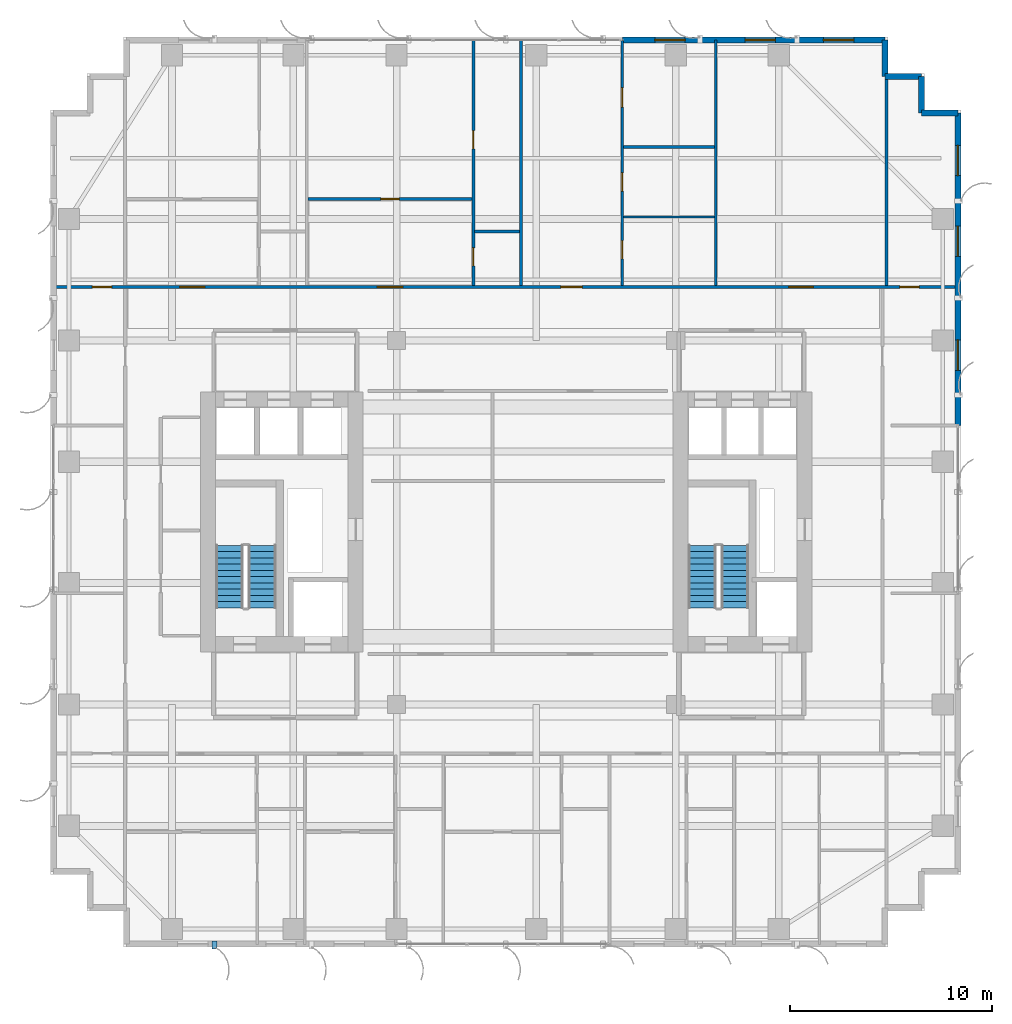
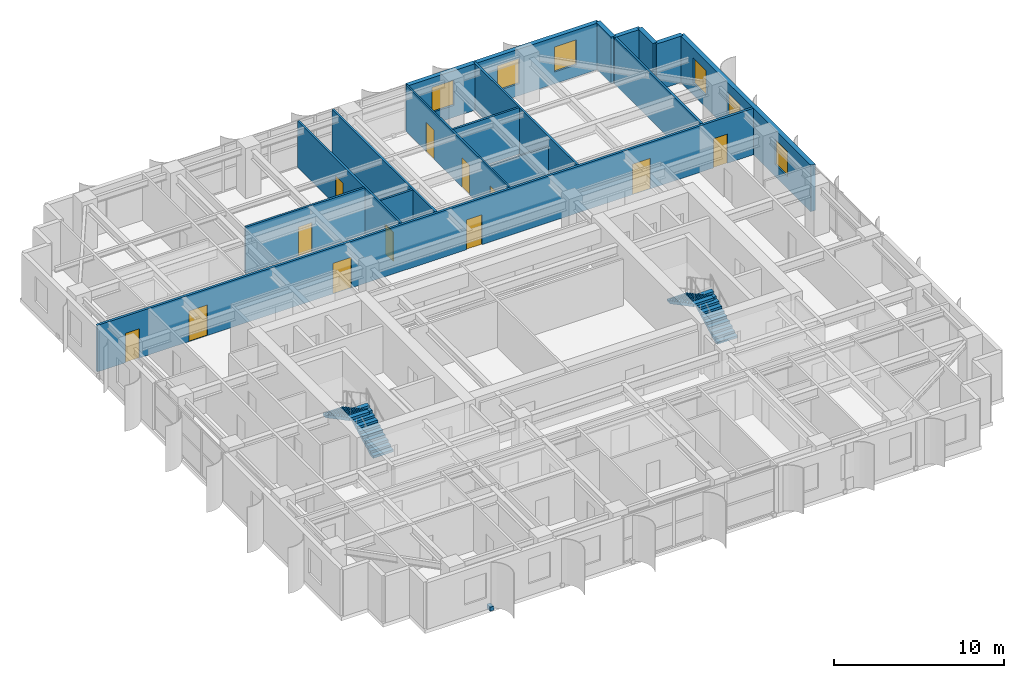
# One storey, part 17 of 22: 16 walls, 12 doors, 6 windows, 4 stair flights, 1 discrete accessory, 18 openings, 2 elements without a shape of their own.
"""IFC4 building model written with IfcOpenShell, lengths in metres."""

from ifc_helpers import new_model, si_unit, direction, frame, frame_2d, origin, origin_2d, place, context, subcontext, project, spatial, polyline, rectangle, outline, extrude, source, transform, mapped, material, layer, layer_set, type_object, element, fill, aggregate, save


model = new_model("IFC4")

# Units and contexts
model_context = context("Model", 3, precision=1e-05, world=origin(), true_north=direction((0.0, 1.0)))
body_context = subcontext(model_context, "Body", "Model", "MODEL_VIEW")
ifc_project = project(units=[si_unit("LENGTHUNIT", "METRE"), si_unit("AREAUNIT", "SQUARE_METRE"), si_unit("VOLUMEUNIT", "CUBIC_METRE"), si_unit("PLANEANGLEUNIT", "RADIAN"), si_unit("MASSUNIT", "GRAM", prefix="KILO")], contexts=[model_context])

# Site, building, storey
site_placement = place(None, origin())
site = spatial("IfcSite", under=ifc_project, at=site_placement, CompositionType="ELEMENT")
building_placement = place(site_placement, origin())
building = spatial("IfcBuilding", under=site, at=building_placement, Name="Khoralis Quay Care Tower", CompositionType="ELEMENT")
storey_placement = place(building_placement, frame((0.0, 0.0, 94.5)))
storey = spatial("IfcBuildingStorey", under=building, at=storey_placement, Name="L24", CompositionType="ELEMENT", Elevation=94.5)

# Wall, openings, doors
ifc_material_1 = material(Name="Gypsum plasterboard on acoustic metal stud")
ifc_layer_1 = layer(ifc_material_1, 0.1650390625)
ifc_layer_set_1 = layer_set([ifc_layer_1], Name="Gypsum plasterboard on acoustic metal stud")
wall_type_1 = type_object("IfcWallType", Name="WL-CORR-165", PredefinedType="PARTITIONING", material=ifc_layer_set_1)
wall_1_placement = place(storey_placement, frame((0.14501953125, 32.639892578125, 0.0), z_axis=(0.0, 0.0, 1.0), x_axis=(1.0, 0.0, 0.0)))
wall_1 = element("IfcWall", 1, at=wall_1_placement, inside=storey, type_object=wall_type_1, Name="L24 North Main Corridor Wall", PredefinedType="PARTITIONING", context=body_context, shape_type="SweptSolid", body=[
    extrude(rectangle(XDim=44.7099609375, YDim=0.1650390625, at=frame_2d((22.35498046875, 0.0))), origin(), (0.0, 0.0, 1.0), 3.340087890625),
])
opening_1_placement = place(wall_1_placement, frame((6.22509765625, 0.0, 0.0)))
opening_1 = element("IfcOpeningElement", 2, at=opening_1_placement, cuts=wall_1, Name="Opening CD1", PredefinedType="OPENING", context=body_context, shape_type="SweptSolid", body=[
    extrude(rectangle(XDim=1.25, YDim=2.199951171875, at=frame_2d((0.625, 1.10009765625))), frame((0.0, 0.092529296875, 0.0), z_axis=(0.0, -1.0, 0.0), x_axis=(1.0, 0.0, 0.0)), (0.0, 0.0, 1.0), 0.18505859375),
])
opening_2_placement = place(wall_1_placement, frame((16.010009765625, 0.0, 0.0)))
opening_2 = element("IfcOpeningElement", 3, at=opening_2_placement, cuts=wall_1, Name="Opening CD1", PredefinedType="OPENING", context=body_context, shape_type="SweptSolid", body=[
    extrude(rectangle(XDim=1.25, YDim=2.199951171875, at=frame_2d((0.625, 1.10009765625))), frame((0.0, 0.092529296875, 0.0), z_axis=(0.0, -1.0, 0.0), x_axis=(1.0, 0.0, 0.0)), (0.0, 0.0, 1.0), 0.18505859375),
])
opening_3_placement = place(wall_1_placement, frame((25.083984375, 0.0, 0.0)))
opening_3 = element("IfcOpeningElement", 4, at=opening_3_placement, cuts=wall_1, Name="Opening UD1", PredefinedType="OPENING", context=body_context, shape_type="SweptSolid", body=[
    extrude(rectangle(XDim=1.050048828125, YDim=2.14990234375, at=frame_2d((0.52490234375, 1.074951171875))), frame((0.0, 0.092529296875, 0.0), z_axis=(0.0, -1.0, 0.0), x_axis=(1.0, 0.0, 0.0)), (0.0, 0.0, 1.0), 0.18505859375),
])
opening_4_placement = place(wall_1_placement, frame((36.35498046875, 0.0, 0.0)))
opening_4 = element("IfcOpeningElement", 5, at=opening_4_placement, cuts=wall_1, Name="Opening FD1", PredefinedType="OPENING", context=body_context, shape_type="SweptSolid", body=[
    extrude(rectangle(XDim=1.199951171875, YDim=2.199951171875, at=frame_2d((0.60009765625, 1.10009765625))), frame((0.0, 0.092529296875, 0.0), z_axis=(0.0, -1.0, 0.0), x_axis=(1.0, 0.0, 0.0)), (0.0, 0.0, 1.0), 0.18505859375),
])
opening_5_placement = place(wall_1_placement, frame((1.919921875, 0.0, 0.0)))
opening_5 = element("IfcOpeningElement", 6, at=opening_5_placement, cuts=wall_1, Name="Opening ID1", PredefinedType="OPENING", context=body_context, shape_type="SweptSolid", body=[
    extrude(rectangle(XDim=0.949951171875, YDim=2.10009765625, at=frame_2d((0.47509765625, 1.050048828125))), frame((0.0, 0.092529296875, 0.0), z_axis=(0.0, -1.0, 0.0), x_axis=(1.0, 0.0, 0.0)), (0.0, 0.0, 1.0), 0.18505859375),
])
opening_6_placement = place(wall_1_placement, frame((41.840087890625, 0.0, 0.0)))
opening_6 = element("IfcOpeningElement", 7, at=opening_6_placement, cuts=wall_1, Name="Opening ID1", PredefinedType="OPENING", context=body_context, shape_type="SweptSolid", body=[
    extrude(rectangle(XDim=0.949951171875, YDim=2.10009765625, at=frame_2d((0.47509765625, 1.050048828125))), frame((0.0, 0.092529296875, 0.0), z_axis=(0.0, -1.0, 0.0), x_axis=(1.0, 0.0, 0.0)), (0.0, 0.0, 1.0), 0.18505859375),
])
ifc_material_2 = material(Name="Fire-rated painted steel", Category="steel")
door_type_1 = type_object("IfcDoorType", Name="DR-FFL-1200X2200", OperationType="NOTDEFINED", PredefinedType="DOOR", material=ifc_material_2)
shared_shape_1 = source(origin(), body_context, "Body", "SweptSolid", [
    extrude(rectangle(XDim=1.199951171875, YDim=2.199951171875, at=frame_2d((0.60009765625, 1.10009765625))), frame((0.0, 0.02490234375, 0.0), z_axis=(0.0, -1.0, 0.0), x_axis=(1.0, 0.0, 0.0)), (0.0, 0.0, 1.0), 0.050048828125),
])
door_1_placement = place(opening_4_placement, origin())
door_1 = element("IfcDoor", 8, at=door_1_placement, inside=storey, type_object=door_type_1, Name="L24 Assisted Communal Dining Room Door", OperationType="DOUBLE_DOOR_SINGLE_SWING", OverallHeight=2.199951171875, OverallWidth=1.199951171875, PredefinedType="DOOR", context=body_context, shape_type="MappedRepresentation", body=[
    mapped(shared_shape_1, transform((0.0, 0.0, 0.0), scale=1.0)),
])
fill(opening_4, door_1)
ifc_material_3 = material(Name="Acoustic hardwood timber", Category="wood")
door_type_2 = type_object("IfcDoorType", Name="DR-CARE-1250X2200", OperationType="NOTDEFINED", PredefinedType="DOOR", material=ifc_material_3)
shared_shape_2 = source(origin(), body_context, "Body", "SweptSolid", [
    extrude(rectangle(XDim=1.25, YDim=2.199951171875, at=frame_2d((0.625, 1.10009765625))), frame((0.0, 0.02490234375, 0.0), z_axis=(0.0, -1.0, 0.0), x_axis=(1.0, 0.0, 0.0)), (0.0, 0.0, 1.0), 0.050048828125),
])
door_2_placement = place(opening_1_placement, origin())
door_2 = element("IfcDoor", 9, at=door_2_placement, inside=storey, type_object=door_type_2, Name="L24 Care Suite NB0 Clinical Door", OperationType="SINGLE_SWING_RIGHT", OverallHeight=2.199951171875, OverallWidth=1.25, PredefinedType="DOOR", context=body_context, shape_type="MappedRepresentation", body=[
    mapped(shared_shape_2, transform((0.0, 0.0, 0.0), scale=1.0)),
])
fill(opening_1, door_2)
door_3_placement = place(opening_2_placement, origin())
door_3 = element("IfcDoor", 10, at=door_3_placement, inside=storey, type_object=door_type_2, Name="L24 Care Suite NB1 Clinical Door", OperationType="SINGLE_SWING_LEFT", OverallHeight=2.199951171875, OverallWidth=1.25, PredefinedType="DOOR", context=body_context, shape_type="MappedRepresentation", body=[
    mapped(shared_shape_2, transform((0.0, 0.0, 0.0), scale=1.0)),
])
fill(opening_2, door_3)
door_type_3 = type_object("IfcDoorType", Name="DR-ROOM-950X2100", OperationType="NOTDEFINED", PredefinedType="DOOR", material=ifc_material_3)
shared_shape_3 = source(origin(), body_context, "Body", "SweptSolid", [
    extrude(rectangle(XDim=0.949951171875, YDim=2.10009765625, at=frame_2d((0.47509765625, 1.050048828125))), frame((0.0, 0.02490234375, 0.0), z_axis=(0.0, -1.0, 0.0), x_axis=(1.0, 0.0, 0.0)), (0.0, 0.0, 1.0), 0.050048828125),
])
door_4_placement = place(opening_5_placement, origin())
door_4 = element("IfcDoor", 11, at=door_4_placement, inside=storey, type_object=door_type_3, Name="L24 NW Corner Door", OperationType="SINGLE_SWING_RIGHT", OverallHeight=2.10009765625, OverallWidth=0.949951171875, PredefinedType="DOOR", context=body_context, shape_type="MappedRepresentation", body=[
    mapped(shared_shape_3, transform((0.0, 0.0, 0.0), scale=1.0)),
])
fill(opening_5, door_4)
door_5_placement = place(opening_6_placement, origin())
door_5 = element("IfcDoor", 12, at=door_5_placement, inside=storey, type_object=door_type_3, Name="L24 NE Corner Door", OperationType="SINGLE_SWING_LEFT", OverallHeight=2.10009765625, OverallWidth=0.949951171875, PredefinedType="DOOR", context=body_context, shape_type="MappedRepresentation", body=[
    mapped(shared_shape_3, transform((0.0, 0.0, 0.0), scale=1.0)),
])
fill(opening_6, door_5)
door_type_4 = type_object("IfcDoorType", Name="DR-SUITE-1050X2150", OperationType="NOTDEFINED", PredefinedType="DOOR", material=ifc_material_3)
shared_shape_4 = source(origin(), body_context, "Body", "SweptSolid", [
    extrude(rectangle(XDim=1.050048828125, YDim=2.14990234375, at=frame_2d((0.52490234375, 1.074951171875))), frame((0.0, 0.02490234375, 0.0), z_axis=(0.0, -1.0, 0.0), x_axis=(1.0, 0.0, 0.0)), (0.0, 0.0, 1.0), 0.050048828125),
])
door_6_placement = place(opening_3_placement, origin())
door_6 = element("IfcDoor", 13, at=door_6_placement, inside=storey, type_object=door_type_4, Name="L24 Apartment NB2 Entrance Door", OperationType="SINGLE_SWING_RIGHT", OverallHeight=2.14990234375, OverallWidth=1.050048828125, PredefinedType="DOOR", context=body_context, shape_type="MappedRepresentation", body=[
    mapped(shared_shape_4, transform((0.0, 0.0, 0.0), scale=1.0)),
])
fill(opening_3, door_6)

# Wall, openings, windows
ifc_material_4 = material(Name="Precast concrete C45/55", Category="concrete")
ifc_layer_2 = layer(ifc_material_4, 0.300048828125)
ifc_layer_set_2 = layer_set([ifc_layer_2], Name="Precast concrete C45/55")
wall_type_2 = type_object("IfcWallType", Name="WL-EXT-REF-300", PredefinedType="SOLIDWALL", material=ifc_layer_set_2)
wall_2_placement = place(storey_placement, frame((44.85009765625, 25.800048828125, 0.0), z_axis=(0.0, 0.0, 1.0), x_axis=(0.0, 1.0, 0.0)))
wall_2 = element("IfcWall", 14, at=wall_2_placement, inside=storey, type_object=wall_type_2, Name="L24 External Facade Wall WL-EXT-L24-P1-E5B", PredefinedType="SOLIDWALL", context=body_context, shape_type="SweptSolid", body=[
    extrude(rectangle(XDim=15.449951171875, YDim=0.300048828125, at=frame_2d((7.72509765625, 0.0))), origin(), (0.0, 0.0, 1.0), 3.340087890625),
])
opening_7_placement = place(wall_2_placement, frame((2.719970703125, 0.0, 0.85009765625)))
opening_7 = element("IfcOpeningElement", 15, at=opening_7_placement, cuts=wall_2, Name="Opening W3", PredefinedType="OPENING", context=body_context, shape_type="SweptSolid", body=[
    extrude(rectangle(XDim=1.5, YDim=1.800048828125, at=frame_2d((0.75, 0.89990234375))), frame((0.0, 0.16015625, 0.0), z_axis=(0.0, -1.0, 0.0), x_axis=(1.0, 0.0, 0.0)), (0.0, 0.0, 1.0), 0.320068359375),
])
opening_8_placement = place(wall_2_placement, frame((8.347412109375, 0.0, 0.85009765625)))
opening_8 = element("IfcOpeningElement", 16, at=opening_8_placement, cuts=wall_2, Name="Opening W3", PredefinedType="OPENING", context=body_context, shape_type="SweptSolid", body=[
    extrude(rectangle(XDim=1.5, YDim=1.800048828125, at=frame_2d((0.75, 0.89990234375))), frame((0.0, 0.16015625, 0.0), z_axis=(0.0, -1.0, 0.0), x_axis=(1.0, 0.0, 0.0)), (0.0, 0.0, 1.0), 0.320068359375),
])
opening_9_placement = place(wall_2_placement, frame((12.342529296875, 0.0, 0.85009765625)))
opening_9 = element("IfcOpeningElement", 17, at=opening_9_placement, cuts=wall_2, Name="Opening W3", PredefinedType="OPENING", context=body_context, shape_type="SweptSolid", body=[
    extrude(rectangle(XDim=1.5, YDim=1.800048828125, at=frame_2d((0.75, 0.89990234375))), frame((0.0, 0.16015625, 0.0), z_axis=(0.0, -1.0, 0.0), x_axis=(1.0, 0.0, 0.0)), (0.0, 0.0, 1.0), 0.320068359375),
])
ifc_material_5 = material(Name="Low-E solar-control double glazing", Category="glass")
window_type = type_object("IfcWindowType", Name="WN-CLIN-1500X1800", PartitioningType="SINGLE_PANEL", PredefinedType="WINDOW", material=ifc_material_5)
shared_shape_5 = source(origin(), body_context, "Body", "SweptSolid", [
    extrude(rectangle(XDim=1.5, YDim=1.800048828125, at=frame_2d((0.75, 0.89990234375))), frame((0.0, 0.030029296875, 0.0), z_axis=(0.0, -1.0, 0.0), x_axis=(1.0, 0.0, 0.0)), (0.0, 0.0, 1.0), 0.06005859375),
])
window_1_placement = place(opening_7_placement, origin())
window_1 = element("IfcWindow", 18, at=window_1_placement, inside=storey, type_object=window_type, Name="WN-L24-P1-E5B Facade Window 01", OverallHeight=1.800048828125, OverallWidth=1.5, PartitioningType="SINGLE_PANEL", PredefinedType="WINDOW", context=body_context, shape_type="MappedRepresentation", body=[
    mapped(shared_shape_5, transform((0.0, 0.0, 0.0), scale=1.0)),
])
fill(opening_7, window_1)
window_2_placement = place(opening_8_placement, origin())
window_2 = element("IfcWindow", 19, at=window_2_placement, inside=storey, type_object=window_type, Name="WN-L24-P1-E5B Facade Window 02", OverallHeight=1.800048828125, OverallWidth=1.5, PartitioningType="SINGLE_PANEL", PredefinedType="WINDOW", context=body_context, shape_type="MappedRepresentation", body=[
    mapped(shared_shape_5, transform((0.0, 0.0, 0.0), scale=1.0)),
])
fill(opening_8, window_2)
window_3_placement = place(opening_9_placement, origin())
window_3 = element("IfcWindow", 20, at=window_3_placement, inside=storey, type_object=window_type, Name="WN-L24-P1-E5B Facade Window 03", OverallHeight=1.800048828125, OverallWidth=1.5, PartitioningType="SINGLE_PANEL", PredefinedType="WINDOW", context=body_context, shape_type="MappedRepresentation", body=[
    mapped(shared_shape_5, transform((0.0, 0.0, 0.0), scale=1.0)),
])
fill(opening_9, window_3)

# Walls
for number, where, z_axis, x_axis, name in (
    (21, (44.85009765625, 41.25, 0.0), (0.0, 0.0, 1.0), (-1.0, 0.0, 0.0), "L24 External Facade Wall WL-EXT-L24-P1-C6"),
    (22, (43.050048828125, 41.25, 0.0), (0.0, 0.0, 1.0), (0.0, 1.0, 0.0), "L24 External Facade Wall WL-EXT-L24-P1-C7"),
    (23, (43.050048828125, 43.050048828125, 0.0), (0.0, 0.0, 1.0), (-1.0, 0.0, 0.0), "L24 External Facade Wall WL-EXT-L24-P1-C8"),
    (24, (41.25, 43.050048828125, 0.0), (0.0, 0.0, 1.0), (0.0, 1.0, 0.0), "L24 External Facade Wall WL-EXT-L24-P1-C9"),
):
    element("IfcWall", number, at=place(storey_placement, frame(where, z_axis=z_axis, x_axis=x_axis)), inside=storey, type_object=wall_type_2, Name=name, PredefinedType="SOLIDWALL", context=body_context, shape_type="SweptSolid", body=[
        extrude(rectangle(XDim=1.800048828125, YDim=0.300048828125, at=frame_2d((0.89990234375, 0.0))), origin(), (0.0, 0.0, 1.0), 3.340087890625),
    ])

# Wall, openings, windows
wall_3_placement = place(storey_placement, frame((41.25, 44.85009765625, 0.0), z_axis=(0.0, 0.0, 1.0), x_axis=(-1.0, 0.0, 0.0)))
wall_3 = element("IfcWall", 25, at=wall_3_placement, inside=storey, type_object=wall_type_2, Name="L24 External Facade Wall WL-EXT-L24-P1-E10A", PredefinedType="SOLIDWALL", context=body_context, shape_type="SweptSolid", body=[
    extrude(rectangle(XDim=12.991943359375, YDim=0.300048828125, at=frame_2d((6.49609375, 0.0))), origin(), (0.0, 0.0, 1.0), 3.340087890625),
])
opening_10_placement = place(wall_3_placement, frame((1.547607421875, 0.0, 0.85009765625)))
opening_10 = element("IfcOpeningElement", 26, at=opening_10_placement, cuts=wall_3, Name="Opening W3", PredefinedType="OPENING", context=body_context, shape_type="SweptSolid", body=[
    extrude(rectangle(XDim=1.5, YDim=1.800048828125, at=frame_2d((0.75, 0.89990234375))), frame((0.0, 0.16015625, 0.0), z_axis=(0.0, -1.0, 0.0), x_axis=(1.0, 0.0, 0.0)), (0.0, 0.0, 1.0), 0.320068359375),
])
opening_11_placement = place(wall_3_placement, frame((5.422607421875, 0.0, 0.85009765625)))
opening_11 = element("IfcOpeningElement", 27, at=opening_11_placement, cuts=wall_3, Name="Opening W3", PredefinedType="OPENING", context=body_context, shape_type="SweptSolid", body=[
    extrude(rectangle(XDim=1.5, YDim=1.800048828125, at=frame_2d((0.75, 0.89990234375))), frame((0.0, 0.16015625, 0.0), z_axis=(0.0, -1.0, 0.0), x_axis=(1.0, 0.0, 0.0)), (0.0, 0.0, 1.0), 0.320068359375),
])
opening_12_placement = place(wall_3_placement, frame((9.881103515625, 0.0, 0.85009765625)))
opening_12 = element("IfcOpeningElement", 28, at=opening_12_placement, cuts=wall_3, Name="Opening W3", PredefinedType="OPENING", context=body_context, shape_type="SweptSolid", body=[
    extrude(rectangle(XDim=1.5, YDim=1.800048828125, at=frame_2d((0.75, 0.89990234375))), frame((0.0, 0.16015625, 0.0), z_axis=(0.0, -1.0, 0.0), x_axis=(1.0, 0.0, 0.0)), (0.0, 0.0, 1.0), 0.320068359375),
])
window_4_placement = place(opening_10_placement, origin())
window_4 = element("IfcWindow", 29, at=window_4_placement, inside=storey, type_object=window_type, Name="WN-L24-P1-E10A Facade Window 01", OverallHeight=1.800048828125, OverallWidth=1.5, PartitioningType="SINGLE_PANEL", PredefinedType="WINDOW", context=body_context, shape_type="MappedRepresentation", body=[
    mapped(shared_shape_5, transform((0.0, 0.0, 0.0), scale=1.0)),
])
fill(opening_10, window_4)
window_5_placement = place(opening_11_placement, origin())
window_5 = element("IfcWindow", 30, at=window_5_placement, inside=storey, type_object=window_type, Name="WN-L24-P1-E10A Facade Window 02", OverallHeight=1.800048828125, OverallWidth=1.5, PartitioningType="SINGLE_PANEL", PredefinedType="WINDOW", context=body_context, shape_type="MappedRepresentation", body=[
    mapped(shared_shape_5, transform((0.0, 0.0, 0.0), scale=1.0)),
])
fill(opening_11, window_5)
window_6_placement = place(opening_12_placement, origin())
window_6 = element("IfcWindow", 31, at=window_6_placement, inside=storey, type_object=window_type, Name="WN-L24-P1-E10A Facade Window 03", OverallHeight=1.800048828125, OverallWidth=1.5, PartitioningType="SINGLE_PANEL", PredefinedType="WINDOW", context=body_context, shape_type="MappedRepresentation", body=[
    mapped(shared_shape_5, transform((0.0, 0.0, 0.0), scale=1.0)),
])
fill(opening_12, window_6)

# Wall, openings, doors
ifc_layer_3 = layer(ifc_material_1, 0.114990234375)
ifc_layer_set_3 = layer_set([ifc_layer_3], Name="Gypsum plasterboard on acoustic metal stud")
wall_type_3 = type_object("IfcWallType", Name="WL-PART-115", PredefinedType="PARTITIONING", material=ifc_layer_set_3)
wall_4_placement = place(storey_placement, frame((28.258056640625, 32.717529296875, 0.0), z_axis=(0.0, 0.0, 1.0), x_axis=(0.0, 1.0, 0.0)))
wall_4 = element("IfcWall", 32, at=wall_4_placement, inside=storey, type_object=wall_type_3, Name="L24 Unit 2 Internal Wall", PredefinedType="PARTITIONING", context=body_context, shape_type="SweptSolid", body=[
    extrude(rectangle(XDim=12.137451171875, YDim=0.114990234375, at=frame_2d((6.06884765625, 0.0))), origin(), (0.0, 0.0, 1.0), 3.340087890625),
])
opening_13_placement = place(wall_4_placement, frame((8.8134765625, 0.0, 0.0)))
opening_13 = element("IfcOpeningElement", 33, at=opening_13_placement, cuts=wall_4, Name="Opening ID1", PredefinedType="OPENING", context=body_context, shape_type="SweptSolid", body=[
    extrude(rectangle(XDim=0.949951171875, YDim=2.10009765625, at=frame_2d((0.47509765625, 1.050048828125))), frame((0.0, 0.0673828125, 0.0), z_axis=(0.0, -1.0, 0.0), x_axis=(1.0, 0.0, 0.0)), (0.0, 0.0, 1.0), 0.135009765625),
])
opening_14_placement = place(wall_4_placement, frame((4.6640625, 0.0, 0.0)))
opening_14 = element("IfcOpeningElement", 34, at=opening_14_placement, cuts=wall_4, Name="Opening WD1", PredefinedType="OPENING", context=body_context, shape_type="SweptSolid", body=[
    extrude(rectangle(XDim=0.89990234375, YDim=2.10009765625, at=frame_2d((0.449951171875, 1.050048828125))), frame((0.0, 0.0673828125, 0.0), z_axis=(0.0, -1.0, 0.0), x_axis=(1.0, 0.0, 0.0)), (0.0, 0.0, 1.0), 0.135009765625),
])
opening_15_placement = place(wall_4_placement, frame((1.318115234375, 0.0, 0.0)))
opening_15 = element("IfcOpeningElement", 35, at=opening_15_placement, cuts=wall_4, Name="Opening WD1", PredefinedType="OPENING", context=body_context, shape_type="SweptSolid", body=[
    extrude(rectangle(XDim=0.89990234375, YDim=2.10009765625, at=frame_2d((0.449951171875, 1.050048828125))), frame((0.0, 0.0673828125, 0.0), z_axis=(0.0, -1.0, 0.0), x_axis=(1.0, 0.0, 0.0)), (0.0, 0.0, 1.0), 0.135009765625),
])
door_type_5 = type_object("IfcDoorType", Name="DR-BATH-900X2100", OperationType="NOTDEFINED", PredefinedType="DOOR", material=ifc_material_3)
shared_shape_6 = source(origin(), body_context, "Body", "SweptSolid", [
    extrude(rectangle(XDim=0.89990234375, YDim=2.10009765625, at=frame_2d((0.449951171875, 1.050048828125))), frame((0.0, 0.02490234375, 0.0), z_axis=(0.0, -1.0, 0.0), x_axis=(1.0, 0.0, 0.0)), (0.0, 0.0, 1.0), 0.050048828125),
])
door_7_placement = place(opening_14_placement, frame((0.89990234375, 0.0, 0.0), z_axis=(0.0, 0.0, 1.0), x_axis=(-1.0, 0.0, 0.0)))
door_7 = element("IfcDoor", 36, at=door_7_placement, inside=storey, type_object=door_type_5, Name="L24 Apartment NB2 KIT Door", OperationType="SINGLE_SWING_RIGHT", OverallHeight=2.10009765625, OverallWidth=0.89990234375, PredefinedType="DOOR", context=body_context, shape_type="MappedRepresentation", body=[
    mapped(shared_shape_6, transform((0.0, 0.0, 0.0), scale=1.0)),
])
fill(opening_14, door_7)
door_8_placement = place(opening_15_placement, frame((0.89990234375, 0.0, 0.0), z_axis=(0.0, 0.0, 1.0), x_axis=(-1.0, 0.0, 0.0)))
door_8 = element("IfcDoor", 37, at=door_8_placement, inside=storey, type_object=door_type_5, Name="L24 Apartment NB2 BTH Door", OperationType="SINGLE_SWING_LEFT", OverallHeight=2.10009765625, OverallWidth=0.89990234375, PredefinedType="DOOR", context=body_context, shape_type="MappedRepresentation", body=[
    mapped(shared_shape_6, transform((0.0, 0.0, 0.0), scale=1.0)),
])
fill(opening_15, door_8)
door_9_placement = place(opening_13_placement, frame((0.949951171875, 0.0, 0.0), z_axis=(0.0, 0.0, 1.0), x_axis=(-1.0, 0.0, 0.0)))
door_9 = element("IfcDoor", 38, at=door_9_placement, inside=storey, type_object=door_type_3, Name="L24 Apartment NB2 BED Door", OperationType="SINGLE_SWING_LEFT", OverallHeight=2.10009765625, OverallWidth=0.949951171875, PredefinedType="DOOR", context=body_context, shape_type="MappedRepresentation", body=[
    mapped(shared_shape_3, transform((0.0, 0.0, 0.0), scale=1.0)),
])
fill(opening_13, door_9)

# Wall
wall_5_placement = place(storey_placement, frame((28.310546875, 36.10107421875, 0.0), z_axis=(0.0, 0.0, 1.0), x_axis=(1.0, 0.0, 0.0)))
element("IfcWall", 39, at=wall_5_placement, inside=storey, type_object=wall_type_3, Name="L24 Unit 2 Kitchen Wall", PredefinedType="PARTITIONING", context=body_context, shape_type="SweptSolid", body=[
    extrude(rectangle(XDim=4.50439453125, YDim=0.114990234375, at=frame_2d((2.252197265625, 0.0))), origin(), (0.0, 0.0, 1.0), 2.64501953125),
])

# Wall, openings, doors
ifc_material_6 = material(Name="Moisture-resistant gypsum and ceramic tile")
ifc_layer_4 = layer(ifc_material_6, 0.280029296875)
ifc_layer_set_4 = layer_set([ifc_layer_4], Name="Moisture-resistant gypsum and ceramic tile")
wall_type_4 = type_object("IfcWallType", Name="WL-PLUMB-280", PredefinedType="PLUMBINGWALL", material=ifc_layer_set_4)
wall_6_placement = place(storey_placement, frame((20.89990234375, 32.717529296875, 0.0), z_axis=(0.0, 0.0, 1.0), x_axis=(0.0, 1.0, 0.0)))
wall_6 = element("IfcWall", 40, at=wall_6_placement, inside=storey, type_object=wall_type_4, Name="L24 Care Suite 1 En-Suite Wall V", PredefinedType="PLUMBINGWALL", context=body_context, shape_type="SweptSolid", body=[
    extrude(rectangle(XDim=12.137451171875, YDim=0.139892578125, at=frame_2d((6.06884765625, 0.0))), origin(), (0.0, 0.0, 1.0), 3.340087890625),
])
opening_16_placement = place(wall_6_placement, frame((0.96240234375, 0.0, 0.0)))
opening_16 = element("IfcOpeningElement", 41, at=opening_16_placement, cuts=wall_6, Name="Opening WD1", PredefinedType="OPENING", context=body_context, shape_type="SweptSolid", body=[
    extrude(rectangle(XDim=0.89990234375, YDim=2.10009765625, at=frame_2d((0.449951171875, 1.050048828125))), frame((0.0, 0.080078125, 0.0), z_axis=(0.0, -1.0, 0.0), x_axis=(1.0, 0.0, 0.0)), (0.0, 0.0, 1.0), 0.159912109375),
])
opening_17_placement = place(wall_6_placement, frame((6.75244140625, 0.0, 0.0)))
opening_17 = element("IfcOpeningElement", 42, at=opening_17_placement, cuts=wall_6, Name="Opening WD1", PredefinedType="OPENING", context=body_context, shape_type="SweptSolid", body=[
    extrude(rectangle(XDim=0.89990234375, YDim=2.10009765625, at=frame_2d((0.449951171875, 1.050048828125))), frame((0.0, 0.080078125, 0.0), z_axis=(0.0, -1.0, 0.0), x_axis=(1.0, 0.0, 0.0)), (0.0, 0.0, 1.0), 0.159912109375),
])
door_10_placement = place(opening_16_placement, frame((0.89990234375, 0.0, 0.0), z_axis=(0.0, 0.0, 1.0), x_axis=(-1.0, 0.0, 0.0)))
door_10 = element("IfcDoor", 43, at=door_10_placement, inside=storey, type_object=door_type_5, Name="L24 Care CENS Door", OperationType="SINGLE_SWING_RIGHT", OverallHeight=2.10009765625, OverallWidth=0.89990234375, PredefinedType="DOOR", context=body_context, shape_type="MappedRepresentation", body=[
    mapped(shared_shape_6, transform((0.0, 0.0, 0.0), scale=1.0)),
])
fill(opening_16, door_10)
door_11_placement = place(opening_17_placement, frame((0.89990234375, 0.0, 0.0), z_axis=(0.0, 0.0, 1.0), x_axis=(-1.0, 0.0, 0.0)))
door_11 = element("IfcDoor", 44, at=door_11_placement, inside=storey, type_object=door_type_5, Name="L24 Care CSIT Door", OperationType="SINGLE_SWING_LEFT", OverallHeight=2.10009765625, OverallWidth=0.89990234375, PredefinedType="DOOR", context=body_context, shape_type="MappedRepresentation", body=[
    mapped(shared_shape_6, transform((0.0, 0.0, 0.0), scale=1.0)),
])
fill(opening_17, door_11)

# Walls
wall_7_placement = place(storey_placement, frame((20.965087890625, 35.389892578125, 0.0), z_axis=(0.0, 0.0, 1.0), x_axis=(1.0, 0.0, 0.0)))
element("IfcWall", 45, at=wall_7_placement, inside=storey, type_object=wall_type_4, Name="L24 Care Suite 1 En-Suite Wall H", PredefinedType="PLUMBINGWALL", context=body_context, shape_type="SweptSolid", body=[
    extrude(rectangle(XDim=2.219970703125, YDim=0.139892578125, at=frame_2d((1.10986328125, 0.0))), origin(), (0.0, 0.0, 1.0), 3.340087890625),
])
wall_8_placement = place(storey_placement, frame((28.310546875, 39.56201171875, 0.0), z_axis=(0.0, 0.0, 1.0), x_axis=(1.0, 0.0, 0.0)))
element("IfcWall", 46, at=wall_8_placement, inside=storey, type_object=wall_type_4, Name="L24 Unit 2 Wet Wall", PredefinedType="PLUMBINGWALL", context=body_context, shape_type="SweptSolid", body=[
    extrude(rectangle(XDim=4.50439453125, YDim=0.139892578125, at=frame_2d((2.252197265625, 0.0))), origin(), (0.0, 0.0, 1.0), 3.340087890625),
])
ifc_layer_5 = layer(ifc_material_1, 0.139892578125)
ifc_layer_set_5 = layer_set([ifc_layer_5], Name="Gypsum plasterboard on acoustic metal stud")
wall_type_5 = type_object("IfcWallType", Name="WL-UNIT-140", PredefinedType="PARTITIONING", material=ifc_layer_set_5)
for number, where, z_axis, x_axis, name in (
    (47, (23.25, 32.717529296875, 0.0), (0.0, 0.0, 1.0), (0.0, 1.0, 0.0), "L24 NB Demising Wall 2"),
    (48, (32.8798828125, 32.717529296875, 0.0), (0.0, 0.0, 1.0), (0.0, 1.0, 0.0), "L24 NB Demising Wall 3"),
):
    element("IfcWall", number, at=place(storey_placement, frame(where, z_axis=z_axis, x_axis=x_axis)), inside=storey, type_object=wall_type_5, Name=name, PredefinedType="PARTITIONING", context=body_context, shape_type="SweptSolid", body=[
        extrude(rectangle(XDim=12.137451171875, YDim=0.139892578125, at=frame_2d((6.06884765625, 0.0))), origin(), (0.0, 0.0, 1.0), 3.340087890625),
    ])
wall_9_placement = place(storey_placement, frame((41.320068359375, 32.717529296875, 0.0), z_axis=(0.0, 0.0, 1.0), x_axis=(0.0, 1.0, 0.0)))
element("IfcWall", 49, at=wall_9_placement, inside=storey, type_object=wall_type_5, Name="L24 NB Demising Wall 4", PredefinedType="PARTITIONING", context=body_context, shape_type="SweptSolid", body=[
    extrude(rectangle(XDim=10.33740234375, YDim=0.139892578125, at=frame_2d((5.168701171875, 0.0))), origin(), (0.0, 0.0, 1.0), 3.340087890625),
])

# Wall, opening, door
wall_10_placement = place(storey_placement, frame((12.72509765625, 36.989990234375, 0.0), z_axis=(0.0, 0.0, 1.0), x_axis=(1.0, 0.0, 0.0)))
wall_10 = element("IfcWall", 50, at=wall_10_placement, inside=storey, type_object=wall_type_5, Name="Skilled Care Bedroom L24-NB1 Sub-Partition", PredefinedType="PARTITIONING", context=body_context, shape_type="SweptSolid", body=[
    extrude(rectangle(XDim=8.10986328125, YDim=0.139892578125, at=frame_2d((4.054931640625, 0.0))), origin(), (0.0, 0.0, 1.0), 3.340087890625),
])
opening_18_placement = place(wall_10_placement, frame((3.60498046875, 0.0, 0.0)))
opening_18 = element("IfcOpeningElement", 51, at=opening_18_placement, cuts=wall_10, Name="Opening WD1", PredefinedType="OPENING", context=body_context, shape_type="SweptSolid", body=[
    extrude(rectangle(XDim=0.89990234375, YDim=2.10009765625, at=frame_2d((0.449951171875, 1.050048828125))), frame((0.0, 0.080078125, 0.0), z_axis=(0.0, -1.0, 0.0), x_axis=(1.0, 0.0, 0.0)), (0.0, 0.0, 1.0), 0.159912109375),
])
door_12_placement = place(opening_18_placement, frame((0.89990234375, 0.0, 0.0), z_axis=(0.0, 0.0, 1.0), x_axis=(-1.0, 0.0, 0.0)))
door_12 = element("IfcDoor", 52, at=door_12_placement, inside=storey, type_object=door_type_5, Name="Private Study & Reading Alcove ARE1 Door", OperationType="SINGLE_SWING_LEFT", OverallHeight=2.10009765625, OverallWidth=0.89990234375, PredefinedType="DOOR", context=body_context, shape_type="MappedRepresentation", body=[
    mapped(shared_shape_6, transform((0.0, 0.0, 0.0), scale=1.0)),
])
fill(opening_18, door_12)

# Stair, stair flights
stair_type = type_object("IfcStairType", Name="ST-TWR-DOGLEG-1400", PredefinedType="HALF_TURN_STAIR", material=ifc_material_4)
stair_1_placement = place(storey_placement, origin())
stair_1 = element("IfcStair", 53, at=stair_1_placement, inside=storey, type_object=stair_type, Name="L24 West Core Exit Stair ST-T1", PredefinedType="HALF_TURN_STAIR")
stair_flight_type = type_object("IfcStairFlightType", Name="SF-TWR-1400", PredefinedType="STRAIGHT", material=ifc_material_4)
shared_shape_7 = source(origin(), body_context, "Body", "SweptSolid", [
    extrude(outline(polyline([(0.0, 0.0), (0.0, 0.16357421875), (0.31005859375, 0.16357421875), (0.31005859375, 0.327392578125), (0.6201171875, 0.327392578125), (0.6201171875, 0.490966796875), (0.929931640625, 0.490966796875), (0.929931640625, 0.654541015625), (1.239990234375, 0.654541015625), (1.239990234375, 0.818115234375), (1.550048828125, 0.818115234375), (1.550048828125, 0.98193359375), (1.860107421875, 0.98193359375), (1.860107421875, 1.1455078125), (2.169921875, 1.1455078125), (2.169921875, 1.30908203125), (2.47998046875, 1.30908203125), (2.47998046875, 1.47265625), (2.7900390625, 1.47265625), (2.7900390625, 1.636474609375), (3.10009765625, 1.636474609375), (3.10009765625, 1.800048828125), (3.10009765625, 1.466796875), (0.321044921875, 0.0), (0.0, 0.0)])), frame((0.0, 0.68994140625, 0.0), z_axis=(0.0, -1.0, 0.0), x_axis=(1.0, 0.0, 0.0)), (0.0, 0.0, 1.0), 1.3798828125),
])
stair_flight_1_placement = place(storey_placement, frame((10.4599609375, 16.77001953125, 0.0), z_axis=(0.0, 0.0, 1.0), x_axis=(0.0, 1.0, 0.0)))
stair_flight_1 = element("IfcStairFlight", 54, at=stair_flight_1_placement, type_object=stair_flight_type, Name="ST-T1 flight 1", NumberOfRisers=11, NumberOfTreads=10, PredefinedType="STRAIGHT", RiserHeight=0.163636364, TreadLength=0.31, context=body_context, shape_type="MappedRepresentation", body=[
    mapped(shared_shape_7, transform((0.0, 0.0, 0.0), scale=1.0)),
])
stair_flight_2_placement = place(storey_placement, frame((8.840087890625, 19.8701171875, 1.800048828125), z_axis=(0.0, 0.0, 1.0), x_axis=(0.0, -1.0, 0.0)))
stair_flight_2 = element("IfcStairFlight", 55, at=stair_flight_2_placement, type_object=stair_flight_type, Name="ST-T1 flight 2", NumberOfRisers=11, NumberOfTreads=10, PredefinedType="STRAIGHT", RiserHeight=0.163636364, TreadLength=0.31, context=body_context, shape_type="MappedRepresentation", body=[
    mapped(shared_shape_7, transform((0.0, 0.0, 0.0), scale=1.0)),
])
aggregate(stair_1, [stair_flight_1, stair_flight_2])

stair_2_placement = place(storey_placement, origin())
stair_2 = element("IfcStair", 56, at=stair_2_placement, inside=storey, type_object=stair_type, Name="L24 East Core Exit Stair ST-T2", PredefinedType="HALF_TURN_STAIR")
stair_flight_3_placement = place(storey_placement, frame((33.830078125, 16.77001953125, 0.0), z_axis=(0.0, 0.0, 1.0), x_axis=(0.0, 1.0, 0.0)))
stair_flight_3 = element("IfcStairFlight", 57, at=stair_flight_3_placement, type_object=stair_flight_type, Name="ST-T2 flight 1", NumberOfRisers=11, NumberOfTreads=10, PredefinedType="STRAIGHT", RiserHeight=0.163636364, TreadLength=0.31, context=body_context, shape_type="MappedRepresentation", body=[
    mapped(shared_shape_7, transform((0.0, 0.0, 0.0), scale=1.0)),
])
stair_flight_4_placement = place(storey_placement, frame((32.2099609375, 19.8701171875, 1.800048828125), z_axis=(0.0, 0.0, 1.0), x_axis=(0.0, -1.0, 0.0)))
stair_flight_4 = element("IfcStairFlight", 58, at=stair_flight_4_placement, type_object=stair_flight_type, Name="ST-T2 flight 2", NumberOfRisers=11, NumberOfTreads=10, PredefinedType="STRAIGHT", RiserHeight=0.163636364, TreadLength=0.31, context=body_context, shape_type="MappedRepresentation", body=[
    mapped(shared_shape_7, transform((0.0, 0.0, 0.0), scale=1.0)),
])
aggregate(stair_2, [stair_flight_3, stair_flight_4])

# Discrete accessory
ifc_material_7 = material(Name="Brushed stainless steel", Category="steel")
discrete_accessory_type = type_object("IfcDiscreteAccessoryType", Name="ACC-FIN-BRACKET", PredefinedType="BRACKET", material=ifc_material_7)
shared_shape_8 = source(origin(), body_context, "Body", "SweptSolid", [
    extrude(rectangle(XDim=0.39990234375, YDim=0.239990234375, at=origin_2d()), origin(), (0.0, 0.0, 1.0), 0.280029296875),
])
discrete_accessory_placement = place(storey_placement, frame((8.10009765625, 0.110107421875, -0.1201171875), z_axis=(0.0, 0.0, 1.0), x_axis=(0.0, -1.0, 0.0)))
element("IfcDiscreteAccessory", 59, at=discrete_accessory_placement, inside=storey, type_object=discrete_accessory_type, Name="L24 Solar Fin Bracket P1E0-01", PredefinedType="BRACKET", context=body_context, shape_type="MappedRepresentation", body=[
    mapped(shared_shape_8, transform((0.0, 0.0, 0.0), scale=1.0)),
])

save(model, "model.ifc")
